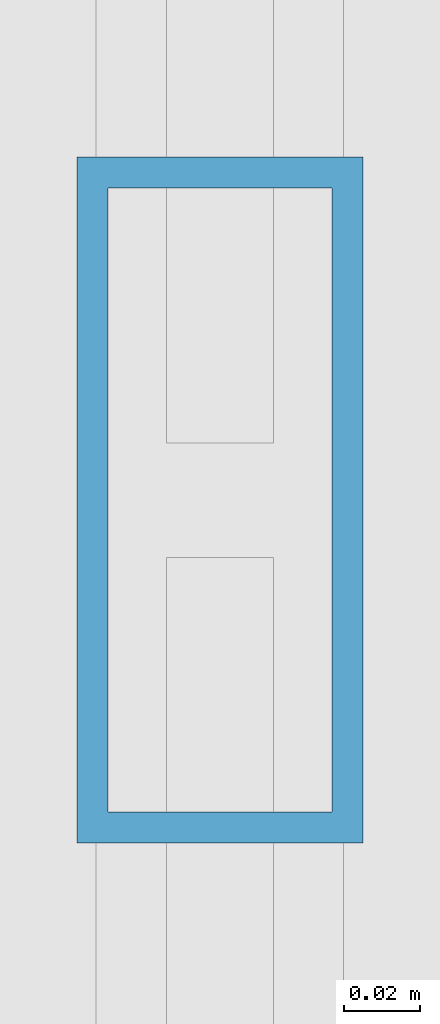
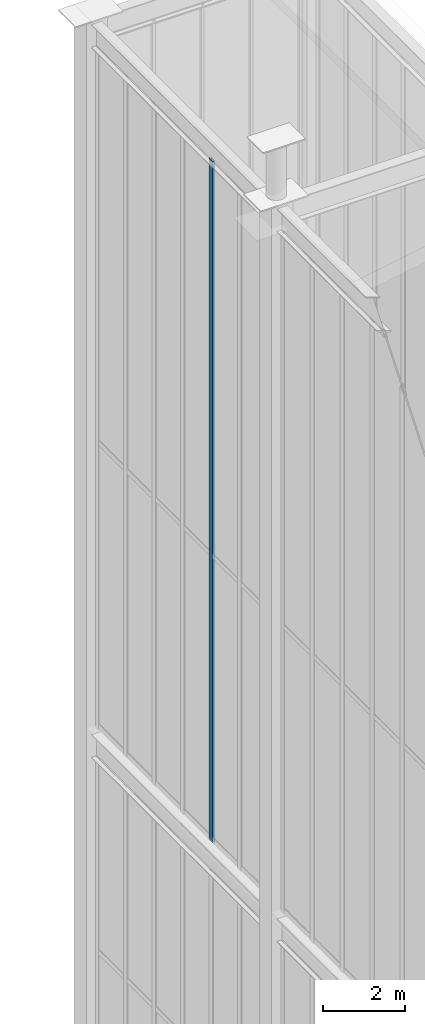
# One storey, part 90 of 135: 1 member, 1 element without a shape of its own.
"""IFC4 building model written with IfcOpenShell, lengths in metres."""

from ifc_helpers import new_model, si_unit, direction, frame, origin, origin_2d, place, context, subcontext, project, spatial, hollow_rectangle, extrude, source, transform, mapped, material, layer, layer_set, material_profile, profile_set, type_object, element, aggregate, save


model = new_model("IFC4")

# Units and contexts
model_context = context("Model", 3, precision=1e-05, world=origin(), true_north=direction((0.0, 1.0)))
body_context = subcontext(model_context, "Body", "Model", "MODEL_VIEW")
ifc_project = project(units=[si_unit("LENGTHUNIT", "METRE"), si_unit("AREAUNIT", "SQUARE_METRE"), si_unit("VOLUMEUNIT", "CUBIC_METRE"), si_unit("PLANEANGLEUNIT", "RADIAN"), si_unit("MASSUNIT", "GRAM", prefix="KILO")], contexts=[model_context])

# Site, building, storey
site_placement = place(None, origin())
site = spatial("IfcSite", under=ifc_project, at=site_placement, CompositionType="ELEMENT")
building_placement = place(site_placement, origin())
building = spatial("IfcBuilding", under=site, at=building_placement, Name="Giltprow Tower", CompositionType="ELEMENT")
storey_placement = place(building_placement, frame((0.0, 0.0, 352.699951171875)))
storey = spatial("IfcBuildingStorey", under=building, at=storey_placement, Name="L92", CompositionType="ELEMENT", Elevation=352.699951171875)

# Curtain wall, member
ifc_material = material(Name="Anodized bronze", Category="metal")
ifc_layer = layer(ifc_material, 0.179931640625, Name="Anodized bronze")
ifc_layer_set = layer_set([ifc_layer], Name="Anodized bronze")
curtain_wall_type = type_object("IfcCurtainWallType", Name="CW-CROWN-LANTERN", PredefinedType="NOTDEFINED", material=ifc_layer_set)
curtain_wall_placement = place(storey_placement, origin())
curtain_wall = element("IfcCurtainWall", 1, at=curtain_wall_placement, inside=storey, type_object=curtain_wall_type, Name="Crown East Upper Lantern Glazing 5", PredefinedType="NOTDEFINED")
ifc_material_profile = material_profile(ifc_material, hollow_rectangle(XDim=0.074951171875, YDim=0.179931640625, WallThickness=0.008056640625, at=origin_2d()), Name="RHS 180x75x8")
ifc_profile_set = profile_set([ifc_material_profile], Name="Anodized bronze")
member_type = type_object("IfcMemberType", Name="CW-MULLION-180x75", PredefinedType="MULLION", material=ifc_profile_set)
shared_shape = source(origin(), body_context, "Body", "SweptSolid", [
    extrude(hollow_rectangle(XDim=0.074951171875, YDim=0.179931640625, WallThickness=0.008056640625, at=origin_2d()), origin(), (0.0, 0.0, 1.0), 20.406005859375),
])
member_placement = place(storey_placement, frame((44.300048828125, 40.60009765625, 17.25), z_axis=(0.0, 0.0, 1.0), x_axis=(1.0, 0.0, 0.0)))
member = element("IfcMember", 2, at=member_placement, type_object=member_type, Name="Crown East Upper Lantern Glazing 5 Mullion 5", PredefinedType="MULLION", context=body_context, shape_type="MappedRepresentation", body=[
    mapped(shared_shape, transform((0.0, 0.0, 0.0), x_axis=(1.0, 0.0, 0.0), y_axis=(0.0, 1.0, 0.0), z_axis=(0.0, 0.0, 1.0), scale=1.0)),
])
aggregate(curtain_wall, [member])

save(model, "model.ifc")
